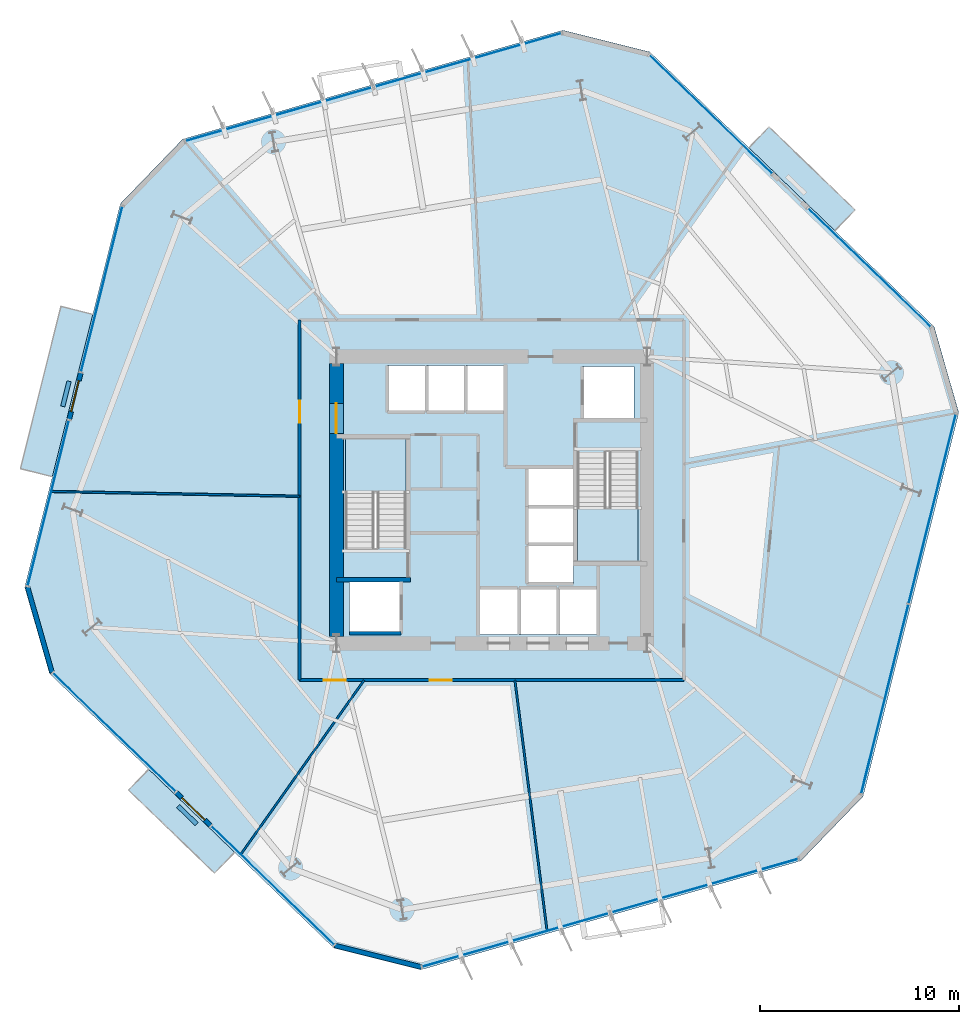
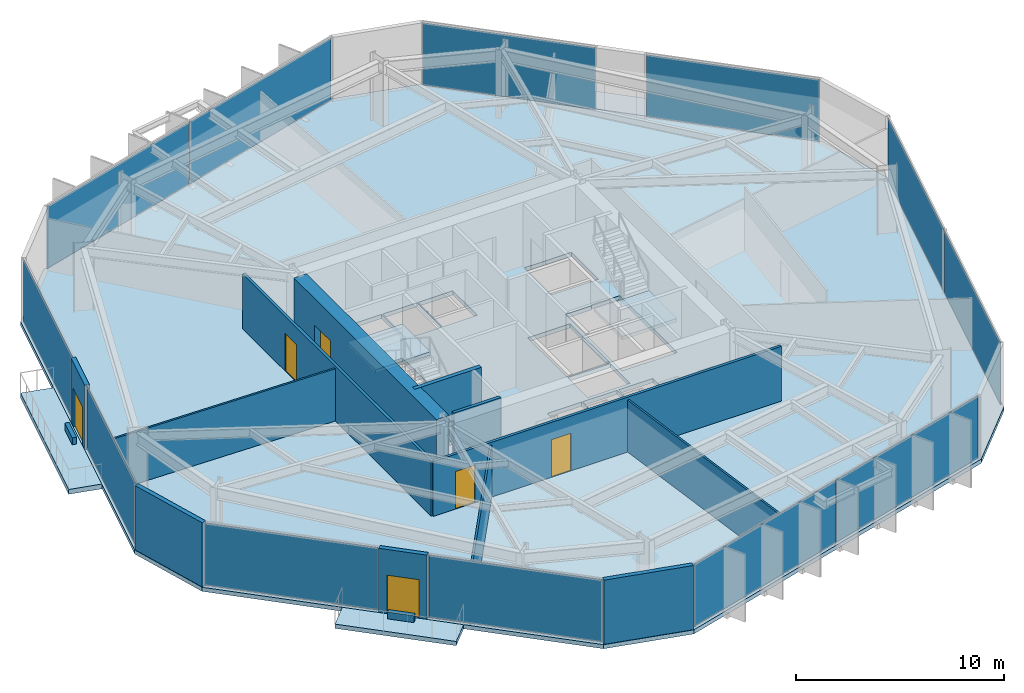
# One storey, part 5 of 10: 14 walls, 12 plates, 6 doors, 6 slabs, 6 openings, 11 elements without a shape of their own.
"""IFC4 building model written with IfcOpenShell, lengths in metres."""

from ifc_helpers import new_model, si_unit, direction, frame, frame_2d, origin, origin_2d, place, context, subcontext, project, spatial, polyline, rectangle, outline, extrude, material, layer, layer_set, type_object, element, fill, aggregate, save


model = new_model("IFC4")

# Units and contexts
model_context = context("Model", 3, precision=1e-05, world=origin(), true_north=direction((0.0, 1.0)))
body_context = subcontext(model_context, "Body", "Model", "MODEL_VIEW")
ifc_project = project(units=[si_unit("LENGTHUNIT", "METRE"), si_unit("AREAUNIT", "SQUARE_METRE"), si_unit("VOLUMEUNIT", "CUBIC_METRE"), si_unit("PLANEANGLEUNIT", "RADIAN"), si_unit("MASSUNIT", "GRAM", prefix="KILO")], contexts=[model_context])

# Site, building, storey
site_placement = place(None, origin())
site = spatial("IfcSite", under=ifc_project, at=site_placement, CompositionType="ELEMENT")
building_placement = place(site_placement, origin())
building = spatial("IfcBuilding", under=site, at=building_placement, Name="Kranzbogen Civic Tower", CompositionType="ELEMENT")
storey_placement = place(building_placement, frame((0.0, 0.0, 84.0)))
storey = spatial("IfcBuildingStorey", under=building, at=storey_placement, Name="L20", CompositionType="ELEMENT", Elevation=84.0)

# Slab
ifc_material_1 = material(Name="Concrete C40/50", Category="concrete")
ifc_layer_1 = layer(ifc_material_1, 0.239990234375, Name="Concrete C40/50")
ifc_layer_set_1 = layer_set([ifc_layer_1], Name="Concrete C40/50")
slab_type_1 = type_object("IfcSlabType", Name="Composite Lower Tower Floor Slab 240 mm", PredefinedType="FLOOR", material=ifc_layer_set_1)
slab_1_placement = place(storey_placement, frame((0.0, 0.0, -0.239990234375)))
element("IfcSlab", 1, at=slab_1_placement, inside=storey, type_object=slab_type_1, Name="L20 tower floor slab", PredefinedType="FLOOR", context=body_context, shape_type="SweptSolid", body=[
    extrude(outline(polyline([(47.217041015625, 33.7109375), (32.930908203125, 47.508056640625), (28.56396484375, 48.596923828125), (9.472900390625, 43.1220703125), (6.346923828125, 39.885009765625), (1.5419921875, 20.614013671875), (2.782958984375, 16.2890625), (17.069091796875, 2.491943359375), (21.43603515625, 1.403076171875), (40.527099609375, 6.8779296875), (43.653076171875, 10.114990234375), (48.4580078125, 29.385986328125), (47.217041015625, 33.7109375)]), holes=[polyline([(26.300048828125, 20.60009765625), (26.300048828125, 18.25), (24.39990234375, 18.25), (24.39990234375, 20.60009765625), (26.300048828125, 20.60009765625)]), polyline([(28.27490234375, 18.25), (26.375, 18.25), (26.375, 20.60009765625), (28.27490234375, 20.60009765625), (28.27490234375, 18.25)]), polyline([(20.449951171875, 18.300048828125), (17.85009765625, 18.300048828125), (17.85009765625, 20.89990234375), (20.449951171875, 20.89990234375), (20.449951171875, 18.300048828125)]), polyline([(20.699951171875, 22.659912109375), (19.25, 22.659912109375), (19.25, 22.60009765625), (17.64990234375, 22.60009765625), (17.64990234375, 28.10009765625), (20.699951171875, 28.10009765625), (20.699951171875, 22.659912109375)]), polyline([(21.64990234375, 29.39990234375), (19.75, 29.39990234375), (19.75, 31.75), (21.64990234375, 31.75), (21.64990234375, 29.39990234375)]), polyline([(23.625, 29.39990234375), (21.72509765625, 29.39990234375), (21.72509765625, 31.75), (23.625, 31.75), (23.625, 29.39990234375)]), polyline([(25.60009765625, 31.75), (25.60009765625, 29.39990234375), (23.699951171875, 29.39990234375), (23.699951171875, 31.75), (25.60009765625, 31.75)]), polyline([(30.25, 18.25), (28.35009765625, 18.25), (28.35009765625, 20.60009765625), (30.25, 20.60009765625), (30.25, 18.25)]), polyline([(29.10009765625, 20.800048828125), (26.75, 20.800048828125), (26.75, 22.699951171875), (29.10009765625, 22.699951171875), (29.10009765625, 20.800048828125)]), polyline([(26.75, 26.550048828125), (29.10009765625, 26.550048828125), (29.10009765625, 24.675048828125), (29.10009765625, 24.64990234375), (29.10009765625, 22.77490234375), (26.75, 22.77490234375), (26.75, 24.64990234375), (26.75, 24.675048828125), (26.75, 26.550048828125)]), polyline([(30.75, 27.340087890625), (30.75, 27.39990234375), (32.35009765625, 27.39990234375), (32.35009765625, 21.89990234375), (29.300048828125, 21.89990234375), (29.300048828125, 27.340087890625), (30.75, 27.340087890625)]), polyline([(32.14990234375, 29.10009765625), (29.550048828125, 29.10009765625), (29.550048828125, 31.699951171875), (32.14990234375, 31.699951171875), (32.14990234375, 29.10009765625)])]), origin(), (0.0, 0.0, 1.0), 0.239990234375),
])

# Curtain wall, plate
ifc_material_2 = material(Name="Pale Anodised Aluminium", Category="aluminium")
ifc_layer_2 = layer(ifc_material_2, 0.219970703125, Name="Pale Anodised Aluminium")
ifc_layer_set_2 = layer_set([ifc_layer_2], Name="Pale Anodised Aluminium")
curtain_wall_type = type_object("IfcCurtainWallType", Name="Zone 1 Stick Curtain Wall System CW-02", PredefinedType="USERDEFINED", material=ifc_layer_set_2)
curtain_wall_1_placement = place(storey_placement, origin())
curtain_wall_1 = element("IfcCurtainWall", 2, at=curtain_wall_1_placement, inside=storey, type_object=curtain_wall_type, Name="L20 curtain wall CW-L20-F1-S1", ObjectType="STICK CURTAIN WALL", PredefinedType="USERDEFINED")
ifc_material_3 = material(Name="Low-E Triple Glazing Glass", Category="glass")
ifc_layer_3 = layer(ifc_material_3, 0.033935546875, Name="Low-E Triple Glazing Glass")
ifc_layer_set_3 = layer_set([ifc_layer_3], Name="Low-E Triple Glazing Glass")
plate_type = type_object("IfcPlateType", Name="Insulated Low-E Glazing Panel 34 mm", PredefinedType="CURTAIN_PANEL", material=ifc_layer_set_3)
plate_1_placement = place(storey_placement, frame((43.968017578125, 36.672607421875, 0.06005859375), z_axis=(0.0, 0.0, 1.0), x_axis=(-0.719280253947, 0.694720027264, 0.0)))
plate_1 = element("IfcPlate", 3, at=plate_1_placement, type_object=plate_type, Name="CW-02 panel 1.1", PredefinedType="CURTAIN_PANEL", context=body_context, shape_type="SweptSolid", body=[
    extrude(rectangle(XDim=8.552490234375, YDim=0.028076171875, at=origin_2d()), origin(), (0.0, 0.0, 1.0), 3.639892578125),
])
aggregate(curtain_wall_1, [plate_1])

curtain_wall_2_placement = place(storey_placement, origin())
curtain_wall_2 = element("IfcCurtainWall", 4, at=curtain_wall_2_placement, inside=storey, type_object=curtain_wall_type, Name="L20 curtain wall CW-L20-F1-S2", ObjectType="STICK CURTAIN WALL", PredefinedType="USERDEFINED")
plate_2_placement = place(storey_placement, frame((36.0029296875, 44.364013671875, 0.06005859375), z_axis=(0.0, 0.0, 1.0), x_axis=(-0.719337874426, 0.694660364794, 0.0)))
plate_2 = element("IfcPlate", 5, at=plate_2_placement, type_object=plate_type, Name="CW-02 panel 1.1", PredefinedType="CURTAIN_PANEL", context=body_context, shape_type="SweptSolid", body=[
    extrude(rectangle(XDim=8.5517578125, YDim=0.028076171875, at=origin_2d()), origin(), (0.0, 0.0, 1.0), 3.639892578125),
])
aggregate(curtain_wall_2, [plate_2])

# Curtain wall, plates
curtain_wall_3_placement = place(storey_placement, origin())
curtain_wall_3 = element("IfcCurtainWall", 6, at=curtain_wall_3_placement, inside=storey, type_object=curtain_wall_type, Name="L20 curtain wall CW-L20-F2", ObjectType="STICK CURTAIN WALL", PredefinedType="USERDEFINED")
plate_3_placement = place(storey_placement, frame((23.783935546875, 47.093994140625, 0.06005859375), z_axis=(0.0, 0.0, 1.0), x_axis=(-0.961250163231, -0.275677571973, 0.0)))
plate_3 = element("IfcPlate", 7, at=plate_3_placement, type_object=plate_type, Name="CW-02 panel 1.1", PredefinedType="CURTAIN_PANEL", context=body_context, shape_type="SweptSolid", body=[
    extrude(rectangle(XDim=9.781982421875, YDim=0.028076171875, at=origin_2d()), origin(), (0.0, 0.0, 1.0), 3.639892578125),
])
plate_4_placement = place(storey_placement, frame((14.3232421875, 44.380859375, 0.06005859375), z_axis=(0.0, 0.0, 1.0), x_axis=(-0.961250163231, -0.275677571973, 0.0)))
plate_4 = element("IfcPlate", 8, at=plate_4_placement, type_object=plate_type, Name="CW-02 panel 2.1", PredefinedType="CURTAIN_PANEL", context=body_context, shape_type="SweptSolid", body=[
    extrude(rectangle(XDim=9.781982421875, YDim=0.028076171875, at=origin_2d()), origin(), (0.0, 0.0, 1.0), 3.639892578125),
])
aggregate(curtain_wall_3, [plate_3, plate_4])

# Curtain wall, plate
curtain_wall_4_placement = place(storey_placement, origin())
curtain_wall_4 = element("IfcCurtainWall", 9, at=curtain_wall_4_placement, inside=storey, type_object=curtain_wall_type, Name="L20 curtain wall CW-L20-F3-S1", ObjectType="STICK CURTAIN WALL", PredefinedType="USERDEFINED")
plate_5_placement = place(storey_placement, frame((5.406982421875, 35.591064453125, 0.06005859375), z_axis=(0.0, 0.0, 1.0), x_axis=(-0.241938635262, -0.970291552456, 0.0)))
plate_5 = element("IfcPlate", 10, at=plate_5_placement, type_object=plate_type, Name="CW-02 panel 1.1", PredefinedType="CURTAIN_PANEL", context=body_context, shape_type="SweptSolid", body=[
    extrude(rectangle(XDim=8.551513671875, YDim=0.028076171875, at=origin_2d()), origin(), (0.0, 0.0, 1.0), 3.639892578125),
])
aggregate(curtain_wall_4, [plate_5])

curtain_wall_5_placement = place(storey_placement, origin())
curtain_wall_5 = element("IfcCurtainWall", 11, at=curtain_wall_5_placement, inside=storey, type_object=curtain_wall_type, Name="L20 curtain wall CW-L20-F3-S2", ObjectType="STICK CURTAIN WALL", PredefinedType="USERDEFINED")
plate_6_placement = place(storey_placement, frame((2.72900390625, 24.847412109375, 0.06005859375), z_axis=(0.0, 0.0, 1.0), x_axis=(-0.241911567018, -0.970298301422, 0.0)))
plate_6 = element("IfcPlate", 12, at=plate_6_placement, type_object=plate_type, Name="CW-02 panel 1.1", PredefinedType="CURTAIN_PANEL", context=body_context, shape_type="SweptSolid", body=[
    extrude(rectangle(XDim=8.552490234375, YDim=0.028076171875, at=origin_2d()), origin(), (0.0, 0.0, 1.0), 3.639892578125),
])
aggregate(curtain_wall_5, [plate_6])

curtain_wall_6_placement = place(storey_placement, origin())
curtain_wall_6 = element("IfcCurtainWall", 13, at=curtain_wall_6_placement, inside=storey, type_object=curtain_wall_type, Name="L20 curtain wall CW-L20-F4-S1", ObjectType="STICK CURTAIN WALL", PredefinedType="USERDEFINED")
plate_7_placement = place(storey_placement, frame((6.031982421875, 13.327392578125, 0.06005859375), z_axis=(0.0, 0.0, 1.0), x_axis=(0.719280253947, -0.694720027264, 0.0)))
plate_7 = element("IfcPlate", 14, at=plate_7_placement, type_object=plate_type, Name="CW-02 panel 1.1", PredefinedType="CURTAIN_PANEL", context=body_context, shape_type="SweptSolid", body=[
    extrude(rectangle(XDim=8.552490234375, YDim=0.028076171875, at=origin_2d()), origin(), (0.0, 0.0, 1.0), 3.639892578125),
])
aggregate(curtain_wall_6, [plate_7])

curtain_wall_7_placement = place(storey_placement, origin())
curtain_wall_7 = element("IfcCurtainWall", 15, at=curtain_wall_7_placement, inside=storey, type_object=curtain_wall_type, Name="L20 curtain wall CW-L20-F4-S2", ObjectType="STICK CURTAIN WALL", PredefinedType="USERDEFINED")
plate_8_placement = place(storey_placement, frame((13.9970703125, 5.635986328125, 0.06005859375), z_axis=(0.0, 0.0, 1.0), x_axis=(0.719337874426, -0.694660364794, 0.0)))
plate_8 = element("IfcPlate", 16, at=plate_8_placement, type_object=plate_type, Name="CW-02 panel 1.1", PredefinedType="CURTAIN_PANEL", context=body_context, shape_type="SweptSolid", body=[
    extrude(rectangle(XDim=8.5517578125, YDim=0.028076171875, at=origin_2d()), origin(), (0.0, 0.0, 1.0), 3.639892578125),
])
aggregate(curtain_wall_7, [plate_8])

# Curtain wall, plates
curtain_wall_8_placement = place(storey_placement, origin())
curtain_wall_8 = element("IfcCurtainWall", 17, at=curtain_wall_8_placement, inside=storey, type_object=curtain_wall_type, Name="L20 curtain wall CW-L20-F5", ObjectType="STICK CURTAIN WALL", PredefinedType="USERDEFINED")
plate_9_placement = place(storey_placement, frame((26.216064453125, 2.906005859375, 0.06005859375), z_axis=(0.0, 0.0, 1.0), x_axis=(0.961250163231, 0.275677571973, 0.0)))
plate_9 = element("IfcPlate", 18, at=plate_9_placement, type_object=plate_type, Name="CW-02 panel 1.1", PredefinedType="CURTAIN_PANEL", context=body_context, shape_type="SweptSolid", body=[
    extrude(rectangle(XDim=9.781982421875, YDim=0.028076171875, at=origin_2d()), origin(), (0.0, 0.0, 1.0), 3.639892578125),
])
plate_10_placement = place(storey_placement, frame((35.6767578125, 5.619140625, 0.06005859375), z_axis=(0.0, 0.0, 1.0), x_axis=(0.961250163231, 0.275677571973, 0.0)))
plate_10 = element("IfcPlate", 19, at=plate_10_placement, type_object=plate_type, Name="CW-02 panel 2.1", PredefinedType="CURTAIN_PANEL", context=body_context, shape_type="SweptSolid", body=[
    extrude(rectangle(XDim=9.781982421875, YDim=0.028076171875, at=origin_2d()), origin(), (0.0, 0.0, 1.0), 3.639892578125),
])
aggregate(curtain_wall_8, [plate_9, plate_10])

curtain_wall_9_placement = place(storey_placement, origin())
curtain_wall_9 = element("IfcCurtainWall", 20, at=curtain_wall_9_placement, inside=storey, type_object=curtain_wall_type, Name="L20 curtain wall CW-L20-F6", ObjectType="STICK CURTAIN WALL", PredefinedType="USERDEFINED")
plate_11_placement = place(storey_placement, frame((44.74169921875, 15.006103515625, 0.06005859375), z_axis=(0.0, 0.0, 1.0), x_axis=(0.241892051596, 0.970303166734, 0.0)))
plate_11 = element("IfcPlate", 21, at=plate_11_placement, type_object=plate_type, Name="CW-02 panel 1.1", PredefinedType="CURTAIN_PANEL", context=body_context, shape_type="SweptSolid", body=[
    extrude(rectangle(XDim=9.7822265625, YDim=0.028076171875, at=origin_2d()), origin(), (0.0, 0.0, 1.0), 3.639892578125),
])
plate_12_placement = place(storey_placement, frame((47.122314453125, 24.555908203125, 0.06005859375), z_axis=(0.0, 0.0, 1.0), x_axis=(0.241892051596, 0.970303166734, 0.0)))
plate_12 = element("IfcPlate", 22, at=plate_12_placement, type_object=plate_type, Name="CW-02 panel 2.1", PredefinedType="CURTAIN_PANEL", context=body_context, shape_type="SweptSolid", body=[
    extrude(rectangle(XDim=9.7822265625, YDim=0.028076171875, at=origin_2d()), origin(), (0.0, 0.0, 1.0), 3.639892578125),
])
aggregate(curtain_wall_9, [plate_11, plate_12])

# Stair, slab
ifc_material_4 = material(Name="Precast concrete C40/50", Category="concrete")
stair_type_1 = type_object("IfcStairType", Name="Tower Core Pressurized Dogleg Stair 1450", PredefinedType="HALF_TURN_STAIR", material=ifc_material_4)
stair_1_placement = place(storey_placement, origin())
stair_1 = element("IfcStair", 23, at=stair_1_placement, inside=storey, type_object=stair_type_1, Name="L20 Tower Core Pressurized Stair 1", PredefinedType="HALF_TURN_STAIR")
ifc_layer_4 = layer(ifc_material_4, 0.199951171875, Name="Precast concrete C40/50")
ifc_layer_set_4 = layer_set([ifc_layer_4], Name="Precast concrete C40/50")
slab_type_2 = type_object("IfcSlabType", Name="Precast Concrete Stair Landing Slab 200 mm", PredefinedType="LANDING", material=ifc_layer_set_4)
slab_2_placement = place(storey_placement, frame((0.0, 0.0, 1.800048828125)))
slab_2 = element("IfcSlab", 24, at=slab_2_placement, type_object=slab_type_2, Name="ST-T1 landing 1", PredefinedType="LANDING", context=body_context, shape_type="SweptSolid", body=[
    extrude(outline(polyline([(20.699951171875, 25.39990234375), (20.699951171875, 28.10009765625), (17.64990234375, 28.10009765625), (17.64990234375, 25.39990234375), (20.699951171875, 25.39990234375)])), origin(), (0.0, 0.0, 1.0), 0.199951171875),
])
aggregate(stair_1, [slab_2])

stair_type_2 = type_object("IfcStairType", Name="Tower Core Secondary Dogleg Stair 1450", PredefinedType="HALF_TURN_STAIR", material=ifc_material_4)
stair_2_placement = place(storey_placement, origin())
stair_2 = element("IfcStair", 25, at=stair_2_placement, inside=storey, type_object=stair_type_2, Name="L20 Tower Core Pressurized Stair 2", PredefinedType="HALF_TURN_STAIR")
slab_3_placement = place(storey_placement, frame((0.0, 0.0, 1.800048828125)))
slab_3 = element("IfcSlab", 26, at=slab_3_placement, type_object=slab_type_2, Name="ST-T2 landing 1", PredefinedType="LANDING", context=body_context, shape_type="SweptSolid", body=[
    extrude(outline(polyline([(29.300048828125, 24.60009765625), (29.300048828125, 21.89990234375), (32.35009765625, 21.89990234375), (32.35009765625, 24.60009765625), (29.300048828125, 24.60009765625)])), origin(), (0.0, 0.0, 1.0), 0.199951171875),
])
aggregate(stair_2, [slab_3])

# Slabs
ifc_layer_5 = layer(ifc_material_1, 0.280029296875, Name="Concrete C40/50")
ifc_layer_set_5 = layer_set([ifc_layer_5], Name="Concrete C40/50")
slab_type_3 = type_object("IfcSlabType", Name="Spiral Terrace Cantilevered Slab 280 mm", PredefinedType="FLOOR", material=ifc_layer_set_5)
slab_4_placement = place(storey_placement, frame((0.0, 0.0, -0.280029296875)))
element("IfcSlab", 27, at=slab_4_placement, inside=storey, type_object=slab_type_3, Name="L20 cantilevered spiral terrace L20-ST", PredefinedType="FLOOR", context=body_context, shape_type="SweptSolid", body=[
    extrude(outline(polyline([(4.9609375, 34.324951171875), (2.928955078125, 26.174072265625), (1.327880859375, 26.572998046875), (3.360107421875, 34.72412109375), (4.9609375, 34.324951171875)])), origin(), (0.0, 0.0, 1.0), 0.280029296875),
])
ifc_layer_6 = layer(ifc_material_1, 0.25, Name="Concrete C40/50")
ifc_layer_set_6 = layer_set([ifc_layer_6], Name="Concrete C40/50")
slab_type_4 = type_object("IfcSlabType", Name="Tree Balcony Cantilevered Slab 250 mm", PredefinedType="FLOOR", material=ifc_layer_set_6)
slab_5_placement = place(storey_placement, frame((0.0, 0.0, -0.25)))
element("IfcSlab", 28, at=slab_5_placement, inside=storey, type_object=slab_type_4, Name="L20 cantilevered tree balcony L20-TB1", PredefinedType="FLOOR", context=body_context, shape_type="SweptSolid", body=[
    extrude(outline(polyline([(7.76806640625, 11.47412109375), (12.083984375, 7.305908203125), (11.076904296875, 6.262939453125), (6.760986328125, 10.430908203125), (7.76806640625, 11.47412109375)])), origin(), (0.0, 0.0, 1.0), 0.25),
])
slab_6_placement = place(storey_placement, frame((0.0, 0.0, -0.25)))
element("IfcSlab", 29, at=slab_6_placement, inside=storey, type_object=slab_type_4, Name="L20 cantilevered tree balcony L20-TB2", PredefinedType="FLOOR", context=body_context, shape_type="SweptSolid", body=[
    extrude(outline(polyline([(42.23193359375, 38.52587890625), (37.916015625, 42.694091796875), (38.923095703125, 43.737060546875), (43.239013671875, 39.569091796875), (42.23193359375, 38.52587890625)])), origin(), (0.0, 0.0, 1.0), 0.25),
])

# Wall, openings, doors
ifc_material_5 = material(Name="Double-Stud Acoustic Gypsum Partition")
ifc_layer_7 = layer(ifc_material_5, 0.14990234375, Name="Double-Stud Acoustic Gypsum Partition")
ifc_layer_set_7 = layer_set([ifc_layer_7], Name="Double-Stud Acoustic Gypsum Partition")
wall_type_1 = type_object("IfcWallType", Name="Acoustic Corridor and Clinical Partition 150 mm", PredefinedType="PARTITIONING", material=ifc_layer_set_7)
wall_1_placement = place(storey_placement, frame((34.64990234375, 15.949951171875, 0.0), z_axis=(0.0, 0.0, 1.0), x_axis=(-1.0, 0.0, 0.0)))
wall_1 = element("IfcWall", 30, at=wall_1_placement, inside=storey, type_object=wall_type_1, Name="L20 corridor partition 03", PredefinedType="PARTITIONING", context=body_context, shape_type="SweptSolid", body=[
    extrude(rectangle(XDim=19.2998046875, YDim=0.14990234375, at=frame_2d((9.64990234375, 0.0))), origin(), (0.0, 0.0, 1.0), 3.2099609375),
])
opening_1_placement = place(wall_1_placement, frame((16.97705078125, 0.0, 0.0)))
opening_1 = element("IfcOpeningElement", 31, at=opening_1_placement, cuts=wall_1, Name="Opening D-COR60", PredefinedType="OPENING", context=body_context, shape_type="SweptSolid", body=[
    extrude(rectangle(XDim=1.10009765625, YDim=2.199951171875, at=frame_2d((0.550048828125, 1.10009765625))), frame((0.0, 0.0849609375, 0.0), z_axis=(0.0, -1.0, 0.0), x_axis=(1.0, 0.0, 0.0)), (0.0, 0.0, 1.0), 0.169921875),
])
opening_2_placement = place(wall_1_placement, frame((11.659912109375, 0.0, 0.0)))
opening_2 = element("IfcOpeningElement", 32, at=opening_2_placement, cuts=wall_1, Name="Opening D-COR60", PredefinedType="OPENING", context=body_context, shape_type="SweptSolid", body=[
    extrude(rectangle(XDim=1.10009765625, YDim=2.199951171875, at=frame_2d((0.550048828125, 1.10009765625))), frame((0.0, 0.0849609375, 0.0), z_axis=(0.0, -1.0, 0.0), x_axis=(1.0, 0.0, 0.0)), (0.0, 0.0, 1.0), 0.169921875),
])
ifc_material_6 = material(Name="Oak Timber and Fire Core", Category="wood")
door_type_1 = type_object("IfcDoorType", Name="Corridor Acoustic Fire Door 1100x2200", OperationType="NOTDEFINED", PredefinedType="DOOR", material=ifc_material_6)
door_1_placement = place(opening_1_placement, origin())
door_1 = element("IfcDoor", 33, at=door_1_placement, inside=storey, type_object=door_type_1, Name="L20 Ministerial Policy Office door", OperationType="SINGLE_SWING_RIGHT", OverallHeight=2.199951171875, OverallWidth=1.10009765625, PredefinedType="DOOR", context=body_context, shape_type="SweptSolid", body=[
    extrude(rectangle(XDim=1.10009765625, YDim=2.199951171875, at=frame_2d((0.550048828125, 1.10009765625))), frame((0.0, 0.02490234375, 0.0), z_axis=(0.0, -1.0, 0.0), x_axis=(1.0, 0.0, 0.0)), (0.0, 0.0, 1.0), 0.050048828125),
])
fill(opening_1, door_1)
door_2_placement = place(opening_2_placement, origin())
door_2 = element("IfcDoor", 34, at=door_2_placement, inside=storey, type_object=door_type_1, Name="L20 Directorate Admin Workspace door", OperationType="SINGLE_SWING_LEFT", OverallHeight=2.199951171875, OverallWidth=1.10009765625, PredefinedType="DOOR", context=body_context, shape_type="SweptSolid", body=[
    extrude(rectangle(XDim=1.10009765625, YDim=2.199951171875, at=frame_2d((0.550048828125, 1.10009765625))), frame((0.0, 0.02490234375, 0.0), z_axis=(0.0, -1.0, 0.0), x_axis=(1.0, 0.0, 0.0)), (0.0, 0.0, 1.0), 0.050048828125),
])
fill(opening_2, door_2)

# Wall, opening, door
wall_2_placement = place(storey_placement, frame((15.35009765625, 15.949951171875, 0.0), z_axis=(0.0, 0.0, 1.0), x_axis=(0.0, 1.0, 0.0)))
wall_2 = element("IfcWall", 35, at=wall_2_placement, inside=storey, type_object=wall_type_1, Name="L20 corridor partition 04", PredefinedType="PARTITIONING", context=body_context, shape_type="SweptSolid", body=[
    extrude(rectangle(XDim=18.10009765625, YDim=0.14990234375, at=frame_2d((9.050048828125, 0.0))), origin(), (0.0, 0.0, 1.0), 3.2099609375),
])
opening_3_placement = place(wall_2_placement, frame((12.93603515625, 0.0, 0.0)))
opening_3 = element("IfcOpeningElement", 36, at=opening_3_placement, cuts=wall_2, Name="Opening D-COR60", PredefinedType="OPENING", context=body_context, shape_type="SweptSolid", body=[
    extrude(rectangle(XDim=1.10009765625, YDim=2.199951171875, at=frame_2d((0.550048828125, 1.10009765625))), frame((0.0, 0.0849609375, 0.0), z_axis=(0.0, -1.0, 0.0), x_axis=(1.0, 0.0, 0.0)), (0.0, 0.0, 1.0), 0.169921875),
])
door_3_placement = place(opening_3_placement, origin())
door_3 = element("IfcDoor", 37, at=door_3_placement, inside=storey, type_object=door_type_1, Name="L20 Delegates Sitting Lounge door", OperationType="SINGLE_SWING_RIGHT", OverallHeight=2.199951171875, OverallWidth=1.10009765625, PredefinedType="DOOR", context=body_context, shape_type="SweptSolid", body=[
    extrude(rectangle(XDim=1.10009765625, YDim=2.199951171875, at=frame_2d((0.550048828125, 1.10009765625))), frame((0.0, 0.02490234375, 0.0), z_axis=(0.0, -1.0, 0.0), x_axis=(1.0, 0.0, 0.0)), (0.0, 0.0, 1.0), 0.050048828125),
])
fill(opening_3, door_3)

# Walls
ifc_material_7 = material(Name="Architectural Precast Terracotta Concrete C40/50", Category="masonry")
ifc_layer_8 = layer(ifc_material_7, 0.219970703125, Name="Architectural Precast Terracotta Concrete C40/50")
ifc_layer_set_8 = layer_set([ifc_layer_8], Name="Architectural Precast Terracotta Concrete C40/50")
wall_type_2 = type_object("IfcWallType", Name="Architectural Tree Planter Kerb Wall 220 mm", PredefinedType="USERDEFINED", material=ifc_layer_set_8)
wall_3_placement = place(storey_placement, frame((9.2470703125, 9.623046875, 0.0), z_axis=(0.0, 0.0, 1.0), x_axis=(0.719288309138, -0.694711687204, 0.0)))
element("IfcWall", 38, at=wall_3_placement, inside=storey, type_object=wall_type_2, Name="L20 landscaped tree balcony planter L20-TB1", ObjectType="PLANTER_WALL", PredefinedType="USERDEFINED", context=body_context, shape_type="SweptSolid", body=[
    extrude(rectangle(XDim=1.30126953125, YDim=0.219970703125, at=frame_2d((0.650634765625, 0.0))), origin(), (0.0, 0.0, 1.0), 0.39990234375),
])
wall_4_placement = place(storey_placement, frame((3.76611328125, 30.964111328125, 0.0), z_axis=(0.0, 0.0, 1.0), x_axis=(-0.241563903991, -0.970384913469, 0.0)))
element("IfcWall", 39, at=wall_4_placement, inside=storey, type_object=wall_type_2, Name="L20 landscaped tree balcony planter L20-ST", ObjectType="PLANTER_WALL", PredefinedType="USERDEFINED", context=body_context, shape_type="SweptSolid", body=[
    extrude(rectangle(XDim=1.30078125, YDim=0.219970703125, at=frame_2d((0.650390625, 0.0))), origin(), (0.0, 0.0, 1.0), 0.39990234375),
])

# Wall, opening, door
ifc_material_8 = material(Name="Concrete C55/67", Category="concrete")
ifc_layer_9 = layer(ifc_material_8, 0.699951171875, Name="Concrete C55/67")
ifc_layer_set_9 = layer_set([ifc_layer_9], Name="Concrete C55/67")
wall_type_3 = type_object("IfcWallType", Name="Central Core Shear Wall 700 mm", PredefinedType="SHEAR", material=ifc_layer_set_9)
wall_5_placement = place(storey_placement, frame((17.199951171875, 31.85009765625, 0.0), z_axis=(0.0, 0.0, 1.0), x_axis=(0.0, -1.0, 0.0)))
wall_5 = element("IfcWall", 40, at=wall_5_placement, inside=storey, type_object=wall_type_3, Name="L20 central core West shear wall", PredefinedType="SHEAR", context=body_context, shape_type="SweptSolid", body=[
    extrude(rectangle(XDim=13.7001953125, YDim=0.699951171875, at=frame_2d((6.85009765625, 0.0))), origin(), (0.0, 0.0, 1.0), 3.760009765625),
])
opening_4_placement = place(wall_5_placement, frame((2.0, 0.0, 0.0)))
opening_4 = element("IfcOpeningElement", 41, at=opening_4_placement, cuts=wall_5, Name="Opening D-DBL15", PredefinedType="OPENING", context=body_context, shape_type="SweptSolid", body=[
    extrude(rectangle(XDim=1.5, YDim=2.199951171875, at=frame_2d((0.75, 1.10009765625))), frame((0.0, 0.35986328125, 0.0), z_axis=(0.0, -1.0, 0.0), x_axis=(1.0, 0.0, 0.0)), (0.0, 0.0, 1.0), 0.719970703125),
])
ifc_material_9 = material(Name="Anodised Bronze and Glass", Category="glass")
door_type_2 = type_object("IfcDoorType", Name="Civic Lobby Double Door 1500x2200", OperationType="DOUBLE_DOOR_SINGLE_SWING", PredefinedType="DOOR", material=ifc_material_9)
door_4_placement = place(opening_4_placement, origin())
door_4 = element("IfcDoor", 42, at=door_4_placement, inside=storey, type_object=door_type_2, Name="L20 Central Lift Lobby West concourse door", OperationType="DOUBLE_DOOR_SINGLE_SWING", OverallHeight=2.199951171875, OverallWidth=1.5, PredefinedType="DOOR", context=body_context, shape_type="SweptSolid", body=[
    extrude(rectangle(XDim=1.5, YDim=2.199951171875, at=frame_2d((0.75, 1.10009765625))), frame((0.0, 0.02490234375, 0.0), z_axis=(0.0, -1.0, 0.0), x_axis=(1.0, 0.0, 0.0)), (0.0, 0.0, 1.0), 0.050048828125),
])
fill(opening_4, door_4)

# Walls
ifc_material_10 = material(Name="Concrete C45/55", Category="concrete")
ifc_layer_10 = layer(ifc_material_10, 0.219970703125, Name="Concrete C45/55")
ifc_layer_set_10 = layer_set([ifc_layer_10], Name="Concrete C45/55")
wall_type_4 = type_object("IfcWallType", Name="Core Internal Stair Structural Wall 220 mm", PredefinedType="SOLIDWALL", material=ifc_layer_set_10)
wall_6_placement = place(storey_placement, frame((17.199951171875, 20.989990234375, 0.0), z_axis=(0.0, 0.0, 1.0), x_axis=(1.0, 0.0, 0.0)))
element("IfcWall", 43, at=wall_6_placement, inside=storey, type_object=wall_type_4, Name="L20 ST-T1 South structural stair wall", PredefinedType="SOLIDWALL", context=body_context, shape_type="SweptSolid", body=[
    extrude(rectangle(XDim=3.719970703125, YDim=0.219970703125, at=frame_2d((1.85986328125, 0.0))), origin(), (0.0, 0.0, 1.0), 3.760009765625),
])
ifc_material_11 = material(Name="Demountable Aluminium and Gypsum Partition", Category="aluminium")
ifc_layer_11 = layer(ifc_material_11, 0.10009765625, Name="Demountable Aluminium and Gypsum Partition")
ifc_layer_set_11 = layer_set([ifc_layer_11], Name="Demountable Aluminium and Gypsum Partition")
wall_type_5 = type_object("IfcWallType", Name="Demountable Office Partition 100 mm", PredefinedType="MOVABLE", material=ifc_layer_set_11)
wall_7_placement = place(storey_placement, frame((15.35009765625, 25.18701171875, 0.0), z_axis=(0.0, 0.0, 1.0), x_axis=(-0.999811471336, 0.019417048838, 0.0)))
element("IfcWall", 44, at=wall_7_placement, inside=storey, type_object=wall_type_5, Name="L20 radial room partition 04", PredefinedType="MOVABLE", context=body_context, shape_type="SweptSolid", body=[
    extrude(rectangle(XDim=12.46044921875, YDim=0.10009765625, at=frame_2d((6.230224609375, 0.0))), origin(), (0.0, 0.0, 1.0), 3.06005859375),
])
wall_8_placement = place(storey_placement, frame((18.590087890625, 15.949951171875, 0.0), z_axis=(0.0, 0.0, 1.0), x_axis=(-0.577987627676, -0.816045527071, 0.0)))
element("IfcWall", 45, at=wall_8_placement, inside=storey, type_object=wall_type_5, Name="L20 radial room partition 05", PredefinedType="MOVABLE", context=body_context, shape_type="SweptSolid", body=[
    extrude(rectangle(XDim=10.71484375, YDim=0.10009765625, at=frame_2d((5.357421875, 0.0))), origin(), (0.0, 0.0, 1.0), 3.06005859375),
])
wall_9_placement = place(storey_placement, frame((26.160888671875, 15.949951171875, 0.0), z_axis=(0.0, 0.0, 1.0), x_axis=(0.127277961903, -0.991867088079, 0.0)))
element("IfcWall", 46, at=wall_9_placement, inside=storey, type_object=wall_type_5, Name="L20 radial room partition 06", PredefinedType="MOVABLE", context=body_context, shape_type="SweptSolid", body=[
    extrude(rectangle(XDim=12.680908203125, YDim=0.10009765625, at=frame_2d((6.34033203125, 0.0))), origin(), (0.0, 0.0, 1.0), 3.050048828125),
])
ifc_material_12 = material(Name="Gypsum Fireboard Shaftliner")
ifc_layer_12 = layer(ifc_material_12, 0.175048828125, Name="Gypsum Fireboard Shaftliner")
ifc_layer_set_12 = layer_set([ifc_layer_12], Name="Gypsum Fireboard Shaftliner")
wall_type_6 = type_object("IfcWallType", Name="Fire-Rated Lift and Service Shaft Wall 175 mm", PredefinedType="PARTITIONING", material=ifc_layer_set_12)
wall_10_placement = place(storey_placement, frame((17.85009765625, 18.300048828125, 0.0), z_axis=(0.0, 0.0, 1.0), x_axis=(1.0, 0.0, 0.0)))
element("IfcWall", 47, at=wall_10_placement, inside=storey, type_object=wall_type_6, Name="L20 lift FF-01 side wall", PredefinedType="PARTITIONING", context=body_context, shape_type="SweptSolid", body=[
    extrude(rectangle(XDim=2.599853515625, YDim=0.175048828125, at=frame_2d((1.2998046875, 0.0))), origin(), (0.0, 0.0, 1.0), 3.760009765625),
])

# Wall, opening, door
ifc_layer_13 = layer(ifc_material_2, 0.239990234375, Name="Pale Anodised Aluminium")
ifc_layer_set_13 = layer_set([ifc_layer_13], Name="Pale Anodised Aluminium")
wall_type_7 = type_object("IfcWallType", Name="Insulated Aluminium Facade Portal Wall 240 mm", PredefinedType="STANDARD", material=ifc_layer_set_13)
wall_11_placement = place(storey_placement, frame((4.35791015625, 31.384033203125, 0.0), z_axis=(0.0, 0.0, 1.0), x_axis=(-0.241578169312, -0.970381362204, 0.0)))
wall_11 = element("IfcWall", 48, at=wall_11_placement, inside=storey, type_object=wall_type_7, Name="L20 exterior entrance portal wall 1", PredefinedType="STANDARD", context=body_context, shape_type="SweptSolid", body=[
    extrude(rectangle(XDim=2.400146484375, YDim=0.239990234375, at=frame_2d((1.2001953125, 0.0))), origin(), (0.0, 0.0, 1.0), 3.760009765625),
])
opening_5_placement = place(wall_11_placement, frame((0.39990234375, 0.0, 0.0)))
opening_5 = element("IfcOpeningElement", 49, at=opening_5_placement, cuts=wall_11, Name="Opening D-TER", PredefinedType="OPENING", context=body_context, shape_type="SweptSolid", body=[
    extrude(rectangle(XDim=1.60009765625, YDim=2.25, at=frame_2d((0.800048828125, 1.125))), frame((0.0, 0.1298828125, 0.0), z_axis=(0.0, -1.0, 0.0), x_axis=(1.0, 0.0, 0.0)), (0.0, 0.0, 1.0), 0.260009765625),
])
ifc_material_13 = material(Name="Anodised Bronze and Triple Glass", Category="glass")
door_type_3 = type_object("IfcDoorType", Name="Glazed Terrace and Balcony Double Door 1600x2250", OperationType="DOUBLE_DOOR_SINGLE_SWING", PredefinedType="DOOR", material=ifc_material_13)
door_5_placement = place(opening_5_placement, frame((1.60009765625, 0.0, 0.0), z_axis=(0.0, 0.0, 1.0), x_axis=(-1.0, 0.0, 0.0)))
door_5 = element("IfcDoor", 50, at=door_5_placement, inside=storey, type_object=door_type_3, Name="L20 spiral terrace access door L20-ST", OperationType="DOUBLE_DOOR_SINGLE_SWING", OverallHeight=2.25, OverallWidth=1.60009765625, PredefinedType="DOOR", context=body_context, shape_type="SweptSolid", body=[
    extrude(rectangle(XDim=1.60009765625, YDim=2.25, at=frame_2d((0.800048828125, 1.125))), frame((0.0, 0.02490234375, 0.0), z_axis=(0.0, -1.0, 0.0), x_axis=(1.0, 0.0, 0.0)), (0.0, 0.0, 1.0), 0.050048828125),
])
fill(opening_5, door_5)

# Wall
wall_12_placement = place(storey_placement, frame((1.679931640625, 20.639892578125, 0.0), z_axis=(0.0, 0.0, 1.0), x_axis=(0.275679732289, -0.96124954367, 0.0)))
element("IfcWall", 51, at=wall_12_placement, inside=storey, type_object=wall_type_7, Name="L20 chamfered corner facade spandrel 3", PredefinedType="STANDARD", context=body_context, shape_type="SweptSolid", body=[
    extrude(rectangle(XDim=4.47314453125, YDim=0.239990234375, at=frame_2d((2.236572265625, 0.0))), origin(), (0.0, 0.0, 1.0), 3.760009765625),
])

# Wall, opening, door
wall_13_placement = place(storey_placement, frame((9.15087890625, 10.31494140625, 0.0), z_axis=(0.0, 0.0, 1.0), x_axis=(0.719506606337, -0.694485596278, 0.0)))
wall_13 = element("IfcWall", 52, at=wall_13_placement, inside=storey, type_object=wall_type_7, Name="L20 exterior entrance portal wall 1", PredefinedType="STANDARD", context=body_context, shape_type="SweptSolid", body=[
    extrude(rectangle(XDim=2.400390625, YDim=0.239990234375, at=frame_2d((1.2001953125, 0.0))), origin(), (0.0, 0.0, 1.0), 3.760009765625),
])
opening_6_placement = place(wall_13_placement, frame((0.39990234375, 0.0, 0.0)))
opening_6 = element("IfcOpeningElement", 53, at=opening_6_placement, cuts=wall_13, Name="Opening D-TER", PredefinedType="OPENING", context=body_context, shape_type="SweptSolid", body=[
    extrude(rectangle(XDim=1.60009765625, YDim=2.25, at=frame_2d((0.800048828125, 1.125))), frame((0.0, 0.1298828125, 0.0), z_axis=(0.0, -1.0, 0.0), x_axis=(1.0, 0.0, 0.0)), (0.0, 0.0, 1.0), 0.260009765625),
])
door_6_placement = place(opening_6_placement, frame((1.60009765625, 0.0, 0.0), z_axis=(0.0, 0.0, 1.0), x_axis=(-1.0, 0.0, 0.0)))
door_6 = element("IfcDoor", 54, at=door_6_placement, inside=storey, type_object=door_type_3, Name="L20 tree balcony access door L20-TB1", OperationType="DOUBLE_DOOR_SINGLE_SWING", OverallHeight=2.25, OverallWidth=1.60009765625, PredefinedType="DOOR", context=body_context, shape_type="SweptSolid", body=[
    extrude(rectangle(XDim=1.60009765625, YDim=2.25, at=frame_2d((0.800048828125, 1.125))), frame((0.0, 0.02490234375, 0.0), z_axis=(0.0, -1.0, 0.0), x_axis=(1.0, 0.0, 0.0)), (0.0, 0.0, 1.0), 0.050048828125),
])
fill(opening_6, door_6)

# Wall
wall_14_placement = place(storey_placement, frame((17.115966796875, 2.6240234375, 0.0), z_axis=(0.0, 0.0, 1.0), x_axis=(0.970261147955, -0.242060539471, 0.0)))
element("IfcWall", 55, at=wall_14_placement, inside=storey, type_object=wall_type_7, Name="L20 chamfered corner facade spandrel 4", PredefinedType="STANDARD", context=body_context, shape_type="SweptSolid", body=[
    extrude(rectangle(XDim=4.47412109375, YDim=0.239990234375, at=frame_2d((2.237060546875, 0.0))), origin(), (0.0, 0.0, 1.0), 3.760009765625),
])

save(model, "model.ifc")
